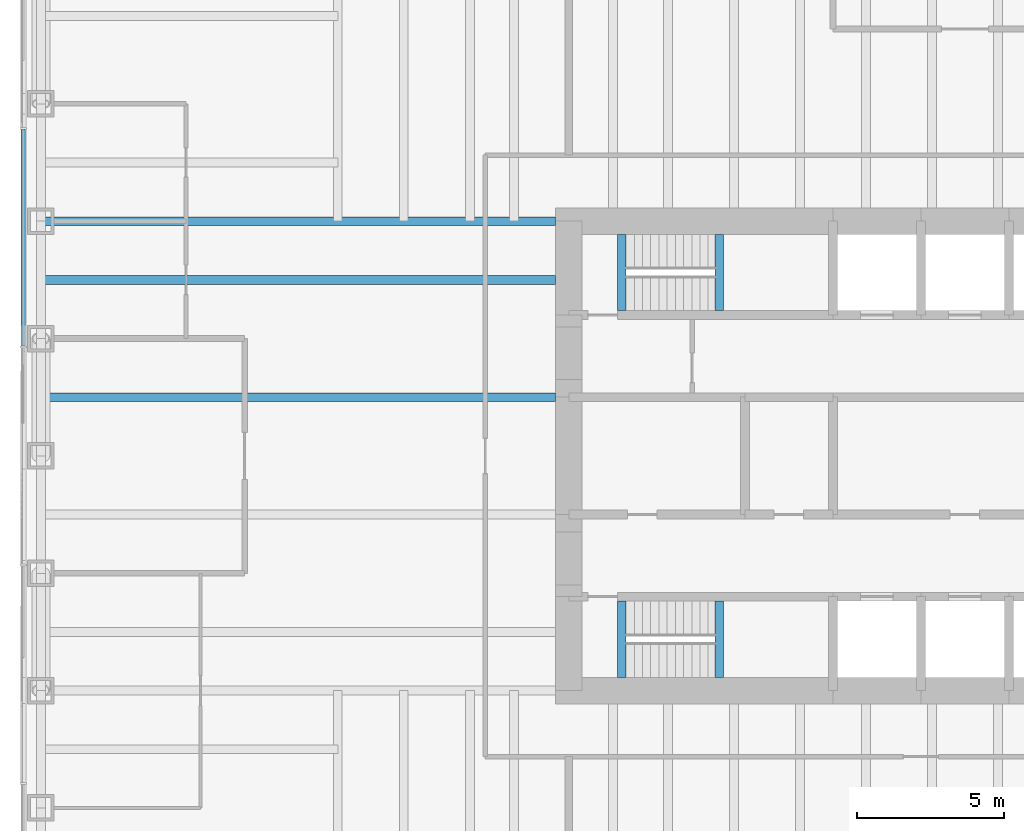
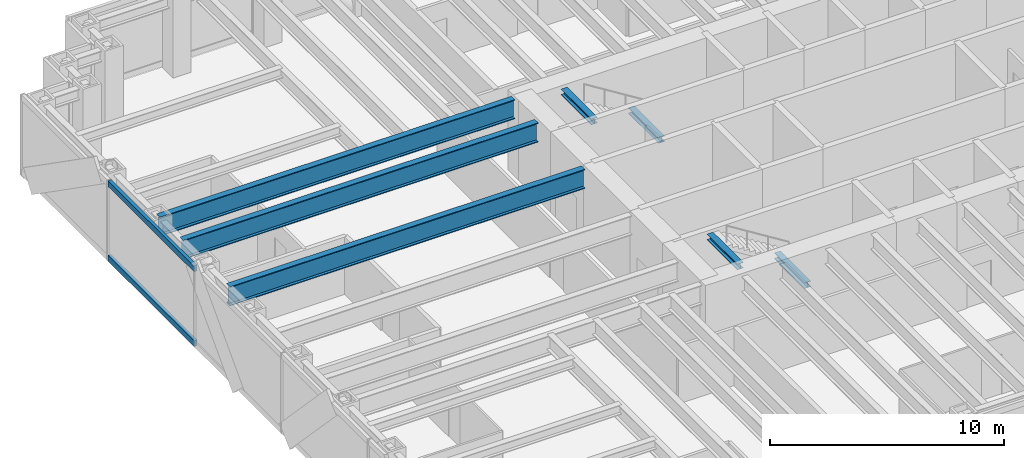
# One storey, part 3 of 15: 7 beams, 2 members, 1 element without a shape of its own.
"""IFC4 building model written with IfcOpenShell, lengths in metres."""

from ifc_helpers import new_model, si_unit, direction, frame, origin, origin_2d, place, context, subcontext, project, spatial, rectangle, i_section, extrude, material, material_profile, profile_set, type_object, element, aggregate, save


model = new_model("IFC4")

# Units and contexts
model_context = context("Model", 3, precision=1e-05, world=origin(), true_north=direction((0.0, 1.0)))
body_context = subcontext(model_context, "Body", "Model", "MODEL_VIEW")
ifc_project = project(units=[si_unit("LENGTHUNIT", "METRE"), si_unit("AREAUNIT", "SQUARE_METRE"), si_unit("VOLUMEUNIT", "CUBIC_METRE"), si_unit("PLANEANGLEUNIT", "RADIAN"), si_unit("MASSUNIT", "GRAM", prefix="KILO")], contexts=[model_context])

# Site, building, storey
site_placement = place(None, origin())
site = spatial("IfcSite", under=ifc_project, at=site_placement, CompositionType="ELEMENT")
building_placement = place(site_placement, origin())
building = spatial("IfcBuilding", under=site, at=building_placement, Name="Rheinbord Bourse Tower", CompositionType="ELEMENT")
storey_placement = place(building_placement, frame((0.0, 0.0, 142.5)))
storey = spatial("IfcBuildingStorey", under=building, at=storey_placement, Name="L31", CompositionType="ELEMENT", Elevation=142.5)

# Curtain wall, members
ifc_material_1 = material(Name="Dark glass and black aluminium", Category="aluminium")
curtain_wall_type = type_object("IfcCurtainWallType", Name="CW2 DARK GLASS CURTAIN WALL", PredefinedType="USERDEFINED", material=ifc_material_1)
curtain_wall_placement = place(storey_placement, origin())
curtain_wall = element("IfcCurtainWall", 1, at=curtain_wall_placement, inside=storey, type_object=curtain_wall_type, Name="Curtain wall CW2 W L31", ObjectType="UNITISED CURTAIN WALL", PredefinedType="USERDEFINED")
ifc_material_2 = material(Name="Black anodised aluminium", Category="aluminium")
ifc_material_profile_1 = material_profile(ifc_material_2, rectangle(XDim=0.159912109375, YDim=0.300048828125, at=origin_2d()), Name="CW2 TRANSOM 300x160")
ifc_profile_set_1 = profile_set([ifc_material_profile_1], Name="Black anodised aluminium")
member_type = type_object("IfcMemberType", Name="CW2 BLACK TRANSOM", PredefinedType="USERDEFINED", material=ifc_profile_set_1)
member_1_placement = place(storey_placement, frame((-0.60009765625, 35.125, 0.14990234375), z_axis=(0.0, -1.0, 0.0), x_axis=(1.0, 0.0, 0.0)))
member_1 = element("IfcMember", 2, at=member_1_placement, type_object=member_type, Name="CW2 transom 2.1", ObjectType="TRANSOM", PredefinedType="USERDEFINED", context=body_context, shape_type="SweptSolid", body=[
    extrude(rectangle(XDim=0.159912109375, YDim=0.300048828125, at=origin_2d()), origin(), (0.0, 0.0, 1.0), 7.3701171875),
])
member_2_placement = place(storey_placement, frame((-0.60009765625, 35.125, 4.050048828125), z_axis=(0.0, -1.0, 0.0), x_axis=(1.0, 0.0, 0.0)))
member_2 = element("IfcMember", 3, at=member_2_placement, type_object=member_type, Name="CW2 transom 2.2", ObjectType="TRANSOM", PredefinedType="USERDEFINED", context=body_context, shape_type="SweptSolid", body=[
    extrude(rectangle(XDim=0.159912109375, YDim=0.300048828125, at=origin_2d()), origin(), (0.0, 0.0, 1.0), 7.3701171875),
])
aggregate(curtain_wall, [member_1, member_2])

# Beams
ifc_material_3 = material(Name="Steel S460", Category="steel")
ifc_material_profile_2 = material_profile(ifc_material_3, i_section(OverallWidth=0.302001953125, OverallDepth=1.008056640625, WebThickness=0.02099609375, FlangeThickness=0.0400390625, at=origin_2d()), Name="HEM 1000")
ifc_profile_set_2 = profile_set([ifc_material_profile_2], Name="Steel S460")
beam_type_1 = type_object("IfcBeamType", Name="END BEAM HEM 1000", PredefinedType="BEAM", material=ifc_profile_set_2)
for number, where, z_axis, x_axis, name in (
    (4, (0.0, 26.0, 3.535888671875), (1.0, 0.0, 0.0), (0.0, 1.0, 0.0), "End beam west 26 L32"),
    (5, (0.0, 30.0, 3.535888671875), (1.0, 0.0, 0.0), (0.0, 1.0, 0.0), "End beam west 30 L32"),
):
    element("IfcBeam", number, at=place(storey_placement, frame(where, z_axis=z_axis, x_axis=x_axis)), inside=storey, type_object=beam_type_1, Name=name, PredefinedType="BEAM", context=body_context, shape_type="SweptSolid", body=[
        extrude(i_section(OverallWidth=0.302001953125, OverallDepth=1.008056640625, WebThickness=0.02099609375, FlangeThickness=0.0400390625, at=origin_2d()), origin(), (0.0, 0.0, 1.0), 17.550048828125),
    ])
ifc_material_4 = material(Name="Steel S460", Category="steel")
ifc_material_profile_3 = material_profile(ifc_material_4, i_section(OverallWidth=0.302001953125, OverallDepth=1.008056640625, WebThickness=0.02099609375, FlangeThickness=0.0400390625, at=origin_2d()), Name="HEM 1000")
ifc_profile_set_3 = profile_set([ifc_material_profile_3], Name="Steel S460")
beam_type_2 = type_object("IfcBeamType", Name="GIRDER HEM 1000", PredefinedType="BEAM", material=ifc_profile_set_3)
beam_placement = place(storey_placement, frame((0.0, 32.0, 3.535888671875), z_axis=(1.0, 0.0, 0.0), x_axis=(0.0, 1.0, 0.0)))
element("IfcBeam", 6, at=beam_placement, inside=storey, type_object=beam_type_2, Name="Girder west 32 L32", PredefinedType="BEAM", context=body_context, shape_type="SweptSolid", body=[
    extrude(i_section(OverallWidth=0.302001953125, OverallDepth=1.008056640625, WebThickness=0.02099609375, FlangeThickness=0.0400390625, at=origin_2d()), origin(), (0.0, 0.0, 1.0), 17.550048828125),
])
ifc_material_5 = material(Name="Steel S460", Category="steel")
ifc_material_profile_4 = material_profile(ifc_material_5, i_section(OverallWidth=0.300048828125, OverallDepth=0.300048828125, WebThickness=0.010986328125, FlangeThickness=0.01904296875, at=origin_2d()), Name="HEB 300")
ifc_profile_set_4 = profile_set([ifc_material_profile_4], Name="Steel S460")
beam_type_3 = type_object("IfcBeamType", Name="LANDING TRIMMER HEB 300", PredefinedType="BEAM", material=ifc_profile_set_4)
for number, where, z_axis, x_axis, name in (
    (7, (23.1298828125, 16.449951171875, 1.75), (0.0, 1.0, 0.0), (-1.0, 0.0, 0.0), "Landing trimmer ST1 L31"),
    (8, (19.800048828125, 16.449951171875, 3.889892578125), (0.0, 1.0, 0.0), (-1.0, 0.0, 0.0), "Well trimmer ST1 under L32"),
    (9, (23.1298828125, 28.949951171875, 1.75), (0.0, 1.0, 0.0), (-1.0, 0.0, 0.0), "Landing trimmer ST2 L31"),
    (10, (19.800048828125, 28.949951171875, 3.889892578125), (0.0, 1.0, 0.0), (-1.0, 0.0, 0.0), "Well trimmer ST2 under L32"),
):
    element("IfcBeam", number, at=place(storey_placement, frame(where, z_axis=z_axis, x_axis=x_axis)), inside=storey, type_object=beam_type_3, Name=name, PredefinedType="BEAM", context=body_context, shape_type="SweptSolid", body=[
        extrude(i_section(OverallWidth=0.300048828125, OverallDepth=0.300048828125, WebThickness=0.010986328125, FlangeThickness=0.01904296875, at=origin_2d()), origin(), (0.0, 0.0, 1.0), 2.60009765625),
    ])

save(model, "model.ifc")
